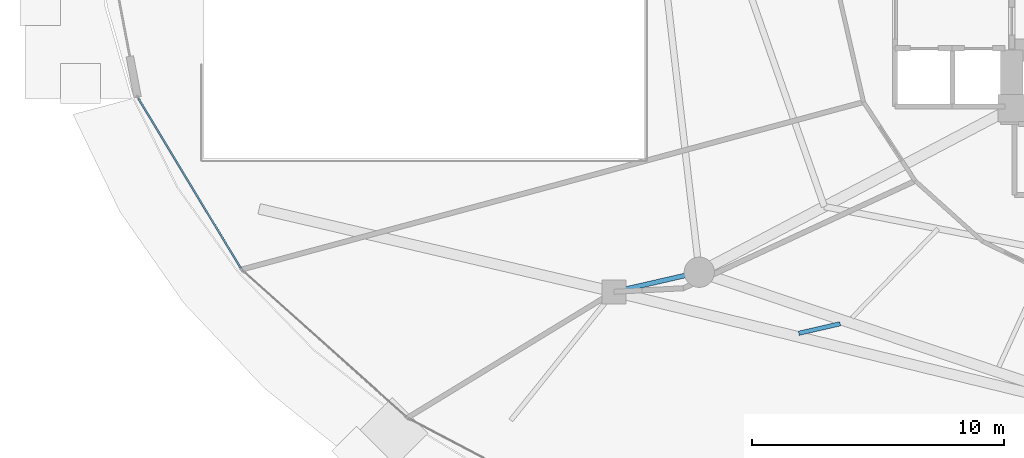
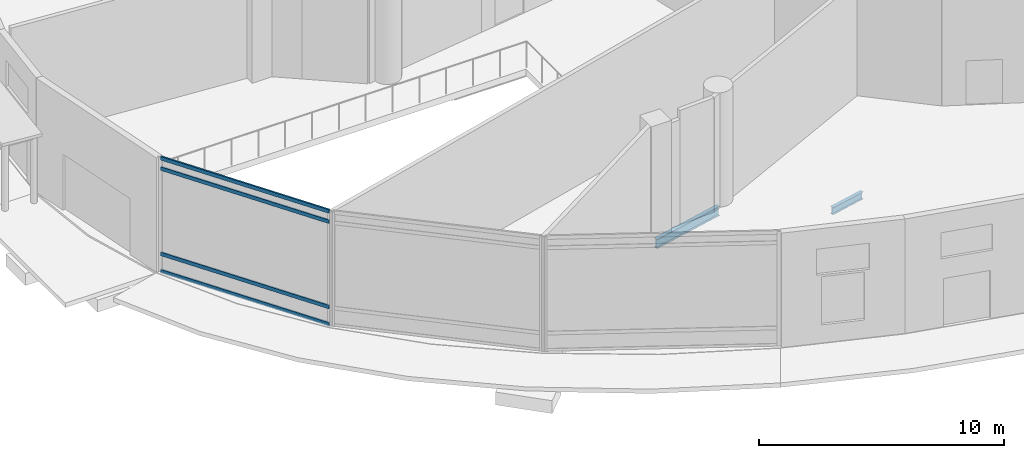
# One storey, part 9 of 40: 4 members, 2 beams, 1 element without a shape of its own.
"""IFC4 building model written with IfcOpenShell, lengths in metres."""

from ifc_helpers import new_model, si_unit, direction, frame, origin, origin_2d, place, context, subcontext, project, spatial, hollow_rectangle, i_section, extrude, material, layer, layer_set, material_profile, profile_set, type_object, element, aggregate, save


model = new_model("IFC4")

# Units and contexts
model_context = context("Model", 3, precision=1e-05, world=origin(), true_north=direction((0.0, 1.0)))
body_context = subcontext(model_context, "Body", "Model", "MODEL_VIEW")
ifc_project = project(units=[si_unit("LENGTHUNIT", "METRE"), si_unit("AREAUNIT", "SQUARE_METRE"), si_unit("VOLUMEUNIT", "CUBIC_METRE"), si_unit("PLANEANGLEUNIT", "RADIAN"), si_unit("MASSUNIT", "GRAM", prefix="KILO")], contexts=[model_context])

# Site, building, storey
site_placement = place(None, origin())
site = spatial("IfcSite", under=ifc_project, at=site_placement, CompositionType="ELEMENT")
building_placement = place(site_placement, origin())
building = spatial("IfcBuilding", under=site, at=building_placement, Name="Nuhasar Tower", CompositionType="ELEMENT")
storey_placement = place(building_placement, origin())
storey = spatial("IfcBuildingStorey", under=building, at=storey_placement, Name="L00", CompositionType="ELEMENT", Elevation=0.0)

# Beams
ifc_material_1 = material(Name="Steel S355", Category="steel")
ifc_material_profile_1 = material_profile(ifc_material_1, i_section(OverallWidth=0.1708984375, OverallDepth=0.35205078125, WebThickness=0.0068359375, FlangeThickness=0.009765625, at=origin_2d()), Name="W14X30")
ifc_profile_set_1 = profile_set([ifc_material_profile_1], Name="Steel S355")
beam_type_1 = type_object("IfcBeamType", Name="BM-JST-W14X30", PredefinedType="JOIST", material=ifc_profile_set_1)
beam_1_placement = place(storey_placement, frame((26.882080078125, 10.43310546875, -0.49609375), z_axis=(-0.97467582406, -0.223622534626, 0.0), x_axis=(0.223622534626, -0.97467582406, 0.0)))
element("IfcBeam", 1, at=beam_1_placement, inside=storey, type_object=beam_type_1, Name="L00 Podium Secondary Joist 01", PredefinedType="JOIST", context=body_context, shape_type="SweptSolid", body=[
    extrude(i_section(OverallWidth=0.1708984375, OverallDepth=0.35205078125, WebThickness=0.0068359375, FlangeThickness=0.009765625, at=origin_2d()), origin(), (0.0, 0.0, 1.0), 1.686767578125),
])
ifc_material_profile_2 = material_profile(ifc_material_1, i_section(OverallWidth=0.18994140625, OverallDepth=0.45703125, WebThickness=0.009033203125, FlangeThickness=0.014404296875, at=origin_2d()), Name="W18X50")
ifc_profile_set_2 = profile_set([ifc_material_profile_2], Name="Steel S355")
beam_type_2 = type_object("IfcBeamType", Name="BM-RAD-W18X50", PredefinedType="BEAM", material=ifc_profile_set_2)
beam_2_placement = place(storey_placement, frame((21.287109375, 12.48095703125, -0.548095703125), z_axis=(-0.974715141502, -0.223451097394, 0.0), x_axis=(0.223451097394, -0.974715141502, 0.0)))
element("IfcBeam", 2, at=beam_2_placement, inside=storey, type_object=beam_type_2, Name="L00 Podium Radial Girder 01", PredefinedType="BEAM", context=body_context, shape_type="SweptSolid", body=[
    extrude(i_section(OverallWidth=0.18994140625, OverallDepth=0.45703125, WebThickness=0.009033203125, FlangeThickness=0.014404296875, at=origin_2d()), origin(), (0.0, 0.0, 1.0), 3.482177734375),
])

# Curtain wall, members
ifc_material_2 = material(Name="Aluminium 6063-T6", Category="aluminium")
ifc_layer = layer(ifc_material_2, 0.219970703125)
ifc_layer_set = layer_set([ifc_layer], Name="Aluminium 6063-T6")
curtain_wall_type = type_object("IfcCurtainWallType", Name="CW-PODIUM", PredefinedType="NOTDEFINED", material=ifc_layer_set)
curtain_wall_placement = place(storey_placement, origin())
curtain_wall = element("IfcCurtainWall", 3, at=curtain_wall_placement, inside=storey, type_object=curtain_wall_type, Name="L00 Podium Curtain Wall Bay 14", PredefinedType="NOTDEFINED")
ifc_material_profile_3 = material_profile(ifc_material_2, hollow_rectangle(XDim=0.074951171875, YDim=0.179931640625, WallThickness=0.00439453125, at=origin_2d()), Name="CWT-1")
ifc_profile_set_3 = profile_set([ifc_material_profile_3], Name="Aluminium 6063-T6")
member_type = type_object("IfcMemberType", Name="CW-TRN-S1", PredefinedType="USERDEFINED", material=ifc_profile_set_3)
member_1_placement = place(storey_placement, frame((-0.9892578125, 19.374755859375, 0.03759765625), z_axis=(0.516759165872, -0.856130810383, 0.0), x_axis=(0.856130810383, 0.516759165872, 0.0)))
member_1 = element("IfcMember", 4, at=member_1_placement, type_object=member_type, Name="CW-P1 transom 1.1", ObjectType="TRANSOM", PredefinedType="USERDEFINED", context=body_context, shape_type="SweptSolid", body=[
    extrude(hollow_rectangle(XDim=0.074951171875, YDim=0.179931640625, WallThickness=0.00439453125, at=origin_2d()), origin(), (0.0, 0.0, 1.0), 7.861572265625),
])
member_2_placement = place(storey_placement, frame((-0.9892578125, 19.374755859375, 0.89990234375), z_axis=(0.516759165872, -0.856130810383, 0.0), x_axis=(0.856130810383, 0.516759165872, 0.0)))
member_2 = element("IfcMember", 5, at=member_2_placement, type_object=member_type, Name="CW-P1 transom 1.2", ObjectType="TRANSOM", PredefinedType="USERDEFINED", context=body_context, shape_type="SweptSolid", body=[
    extrude(hollow_rectangle(XDim=0.074951171875, YDim=0.179931640625, WallThickness=0.00439453125, at=origin_2d()), origin(), (0.0, 0.0, 1.0), 7.861572265625),
])
member_3_placement = place(storey_placement, frame((-0.9892578125, 19.374755859375, 5.14990234375), z_axis=(0.516759165872, -0.856130810383, 0.0), x_axis=(0.856130810383, 0.516759165872, 0.0)))
member_3 = element("IfcMember", 6, at=member_3_placement, type_object=member_type, Name="CW-P1 transom 1.3", ObjectType="TRANSOM", PredefinedType="USERDEFINED", context=body_context, shape_type="SweptSolid", body=[
    extrude(hollow_rectangle(XDim=0.074951171875, YDim=0.179931640625, WallThickness=0.00439453125, at=origin_2d()), origin(), (0.0, 0.0, 1.0), 7.861572265625),
])
member_4_placement = place(storey_placement, frame((-0.9892578125, 19.374755859375, 5.66259765625), z_axis=(0.516759165872, -0.856130810383, 0.0), x_axis=(0.856130810383, 0.516759165872, 0.0)))
member_4 = element("IfcMember", 7, at=member_4_placement, type_object=member_type, Name="CW-P1 transom 1.4", ObjectType="TRANSOM", PredefinedType="USERDEFINED", context=body_context, shape_type="SweptSolid", body=[
    extrude(hollow_rectangle(XDim=0.074951171875, YDim=0.179931640625, WallThickness=0.00439453125, at=origin_2d()), origin(), (0.0, 0.0, 1.0), 7.861572265625),
])
aggregate(curtain_wall, [member_1, member_2, member_3, member_4])

save(model, "model.ifc")
